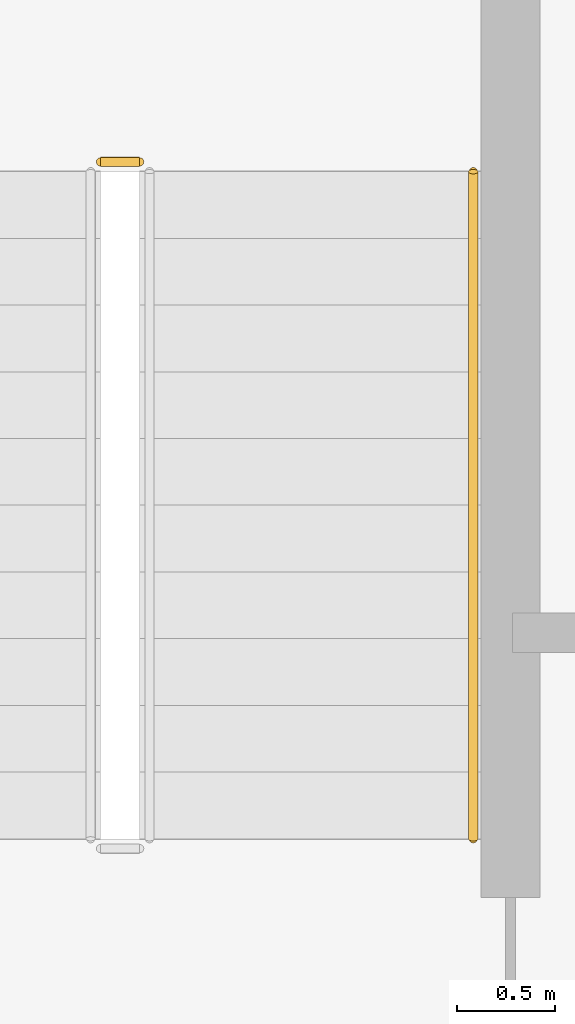
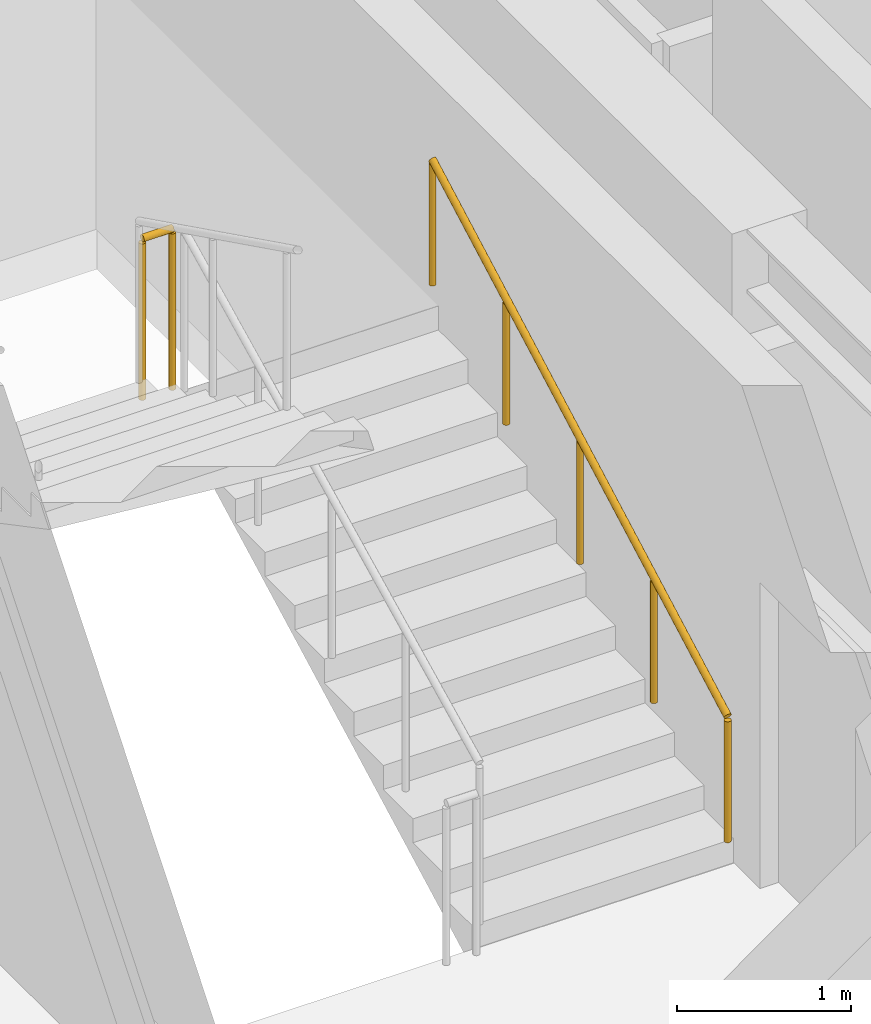
# One storey, part 40 of 41: 2 railings.
"""IFC4 building model written with IfcOpenShell, lengths in metres."""

from ifc_helpers import new_model, si_unit, direction, frame, origin, origin_2d, place, context, subcontext, project, spatial, circle, extrude, material, type_object, element, save


model = new_model("IFC4")

# Units and contexts
model_context = context("Model", 3, precision=1e-05, world=origin(), true_north=direction((0.0, 1.0)))
body_context = subcontext(model_context, "Body", "Model", "MODEL_VIEW")
ifc_project = project(units=[si_unit("LENGTHUNIT", "METRE"), si_unit("AREAUNIT", "SQUARE_METRE"), si_unit("VOLUMEUNIT", "CUBIC_METRE"), si_unit("PLANEANGLEUNIT", "RADIAN"), si_unit("MASSUNIT", "GRAM", prefix="KILO")], contexts=[model_context])

# Site, building, storey
site_placement = place(None, origin())
site = spatial("IfcSite", under=ifc_project, at=site_placement, CompositionType="ELEMENT")
building_placement = place(site_placement, origin())
building = spatial("IfcBuilding", under=site, at=building_placement, Name="Nahalor Promenade Grand Hotel", CompositionType="ELEMENT")
storey_placement = place(building_placement, frame((0.0, 0.0, 227.10009765625)))
storey = spatial("IfcBuildingStorey", under=building, at=storey_placement, Name="L58", CompositionType="ELEMENT", Elevation=227.10009765625)

# Railings
ifc_material = material(Name="Steel S355JR", Category="steel")
railing_type_1 = type_object("IfcRailingType", Name="Steel Stair Guardrail 1150 mm", PredefinedType="GUARDRAIL", material=ifc_material)
railing_1_placement = place(storey_placement, frame((5.699951171875, 11.550048828125, 1.849853515625)))
element("IfcRailing", 1, at=railing_1_placement, inside=storey, type_object=railing_type_1, Name="L58 ST1 stair guard 2", PredefinedType="GUARDRAIL", context=body_context, shape_type="SweptSolid", body=[
    extrude(circle(Radius=0.024048, at=origin_2d()), frame((0.0, 0.0, 1.1259765625), z_axis=(-1.0, 0.0, 0.0), x_axis=(0.0, -1.0, 0.0)), (0.0, 0.0, 1.0), 0.199951171875),
    extrude(circle(Radius=0.020996, at=origin_2d()), origin(), (0.0, 0.0, 1.0), 1.099853515625),
    extrude(circle(Radius=0.020996, at=origin_2d()), frame((-0.199951171875, 0.0, 0.0)), (0.0, 0.0, 1.0), 1.099853515625),
])
railing_type_2 = type_object("IfcRailingType", Name="Steel Stair Handrail 900 mm", PredefinedType="HANDRAIL", material=ifc_material)
railing_2_placement = place(storey_placement, frame((7.39990234375, 8.10009765625, 0.16796875)))
element("IfcRailing", 2, at=railing_2_placement, inside=storey, type_object=railing_type_2, Name="L58 ST1 stair handrail 1", PredefinedType="HANDRAIL", context=body_context, shape_type="SweptSolid", body=[
    extrude(circle(Radius=0.024048, at=origin_2d()), frame((0.0, 0.0, 0.8759765625), z_axis=(0.0, 0.87837241229, 0.47797688786), x_axis=(-1.0, 0.0, 0.0)), (0.0, 0.0, 1.0), 3.87060546875),
    extrude(circle(Radius=0.020996, at=origin_2d()), origin(), (0.0, 0.0, 1.0), 0.849853515625),
    extrude(circle(Radius=0.020996, at=origin_2d()), frame((0.0, 0.85009765625, 0.46240234375)), (0.0, 0.0, 1.0), 0.849853515625),
    extrude(circle(Radius=0.020996, at=origin_2d()), frame((0.0, 1.699951171875, 0.925048828125)), (0.0, 0.0, 1.0), 0.849853515625),
    extrude(circle(Radius=0.020996, at=origin_2d()), frame((0.0, 2.5498046875, 1.3876953125)), (0.0, 0.0, 1.0), 0.849853515625),
    extrude(circle(Radius=0.020996, at=origin_2d()), frame((0.0, 3.39990234375, 1.85009765625)), (0.0, 0.0, 1.0), 0.849853515625),
])

save(model, "model.ifc")
